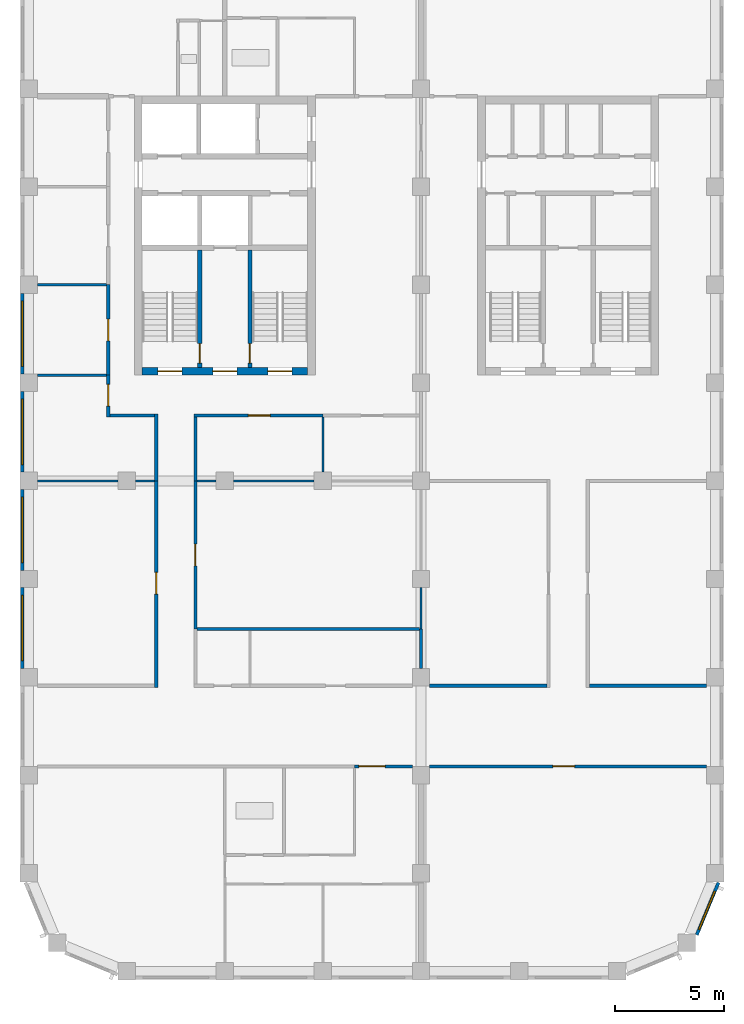
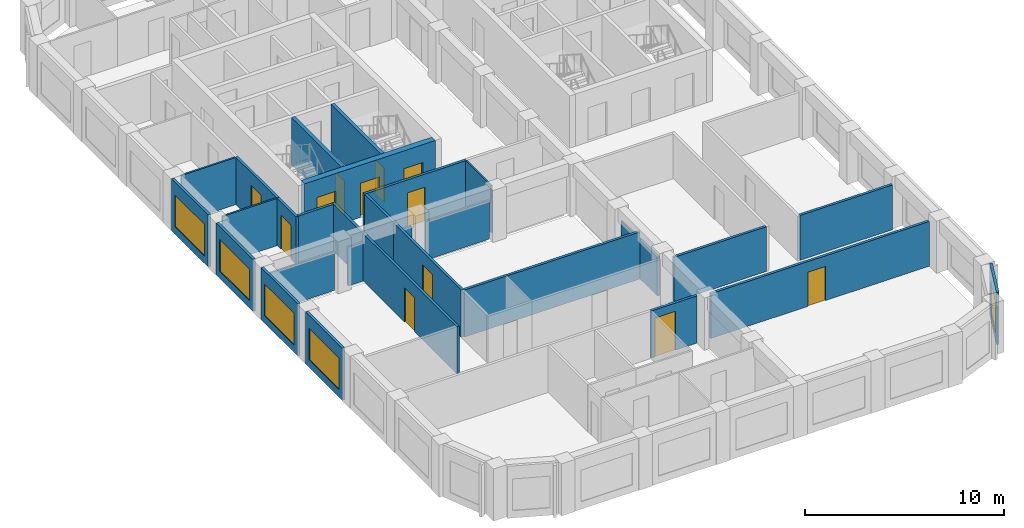
# One storey, part 3 of 9: 30 walls, 12 doors, 5 windows, 17 openings.
"""IFC4 building model written with IfcOpenShell, lengths in metres."""

from ifc_helpers import new_model, si_unit, direction, frame, frame_2d, origin, place, context, subcontext, project, spatial, rectangle, extrude, material, layer, layer_set, type_object, element, fill, save


model = new_model("IFC4")

# Units and contexts
model_context = context("Model", 3, precision=1e-05, world=origin(), true_north=direction((0.0, 1.0)))
body_context = subcontext(model_context, "Body", "Model", "MODEL_VIEW")
ifc_project = project(units=[si_unit("LENGTHUNIT", "METRE"), si_unit("AREAUNIT", "SQUARE_METRE"), si_unit("VOLUMEUNIT", "CUBIC_METRE"), si_unit("PLANEANGLEUNIT", "RADIAN"), si_unit("MASSUNIT", "GRAM", prefix="KILO")], contexts=[model_context])

# Site, building, storey
site_placement = place(None, origin())
site = spatial("IfcSite", under=ifc_project, at=site_placement, CompositionType="ELEMENT")
building_placement = place(site_placement, origin())
building = spatial("IfcBuilding", under=site, at=building_placement, Name="Girih Gate Residences", CompositionType="ELEMENT")
storey_placement = place(building_placement, frame((0.0, 0.0, 216.4951171875)))
storey = spatial("IfcBuildingStorey", under=building, at=storey_placement, Name="L60", CompositionType="ELEMENT", Elevation=216.4951171875)

# Wall, opening, door
ifc_material_1 = material(Name="Gypsum board on steel studs", Category="steel")
ifc_layer_1 = layer(ifc_material_1, 0.14990234375)
ifc_layer_set_1 = layer_set([ifc_layer_1], Name="Compartment wall 150 mm")
wall_type_1 = type_object("IfcWallType", Name="Compartment wall 150 mm", PredefinedType="PARTITIONING", material=ifc_layer_set_1)
wall_1_placement = place(storey_placement, frame((17.60009765625, 9.39990234375, 0.0), z_axis=(0.0, 0.0, 1.0), x_axis=(-1.0, 0.0, 0.0)))
wall_1 = element("IfcWall", 1, at=wall_1_placement, inside=storey, type_object=wall_type_1, Name="L60 partition", PredefinedType="PARTITIONING", context=body_context, shape_type="SweptSolid", body=[
    extrude(rectangle(XDim=2.650146484375, YDim=0.14990234375, at=frame_2d((1.3251953125, 0.0))), origin(), (0.0, 0.0, 1.0), 2.89990234375),
])
opening_1_placement = place(wall_1_placement, frame((1.25, 0.0, 0.0)))
opening_1 = element("IfcOpeningElement", 2, at=opening_1_placement, cuts=wall_1, Name="Opening A60-006", PredefinedType="OPENING", context=body_context, shape_type="SweptSolid", body=[
    extrude(rectangle(XDim=1.199951171875, YDim=2.39990234375, at=frame_2d((0.60009765625, 1.199951171875))), frame((0.0, 0.0849609375, 0.0), z_axis=(0.0, -1.0, 0.0), x_axis=(1.0, 0.0, 0.0)), (0.0, 0.0, 1.0), 0.169921875),
])
ifc_material_2 = material(Name="Timber, fire-rated core", Category="wood")
door_type_1 = type_object("IfcDoorType", Name="Villa entrance door 1200x2400 FD30S", OperationType="NOTDEFINED", PredefinedType="DOOR", material=ifc_material_2)
door_1_placement = place(opening_1_placement, origin())
door_1 = element("IfcDoor", 3, at=door_1_placement, inside=storey, type_object=door_type_1, Name="Door A60-006", OperationType="SINGLE_SWING_RIGHT", OverallHeight=2.39990234375, OverallWidth=1.199951171875, PredefinedType="DOOR", context=body_context, shape_type="SweptSolid", body=[
    extrude(rectangle(XDim=1.199951171875, YDim=2.39990234375, at=frame_2d((0.60009765625, 1.199951171875))), frame((0.0, 0.02490234375, 0.0), z_axis=(0.0, -1.0, 0.0), x_axis=(1.0, 0.0, 0.0)), (0.0, 0.0, 1.0), 0.050048828125),
])
fill(opening_1, door_1)

wall_2_placement = place(storey_placement, frame((7.64990234375, 22.5, 0.0), z_axis=(0.0, 0.0, 1.0), x_axis=(0.0, -1.0, 0.0)))
wall_2 = element("IfcWall", 4, at=wall_2_placement, inside=storey, type_object=wall_type_1, Name="L60 partition", PredefinedType="PARTITIONING", context=body_context, shape_type="SweptSolid", body=[
    extrude(rectangle(XDim=6.800048828125, YDim=0.14990234375, at=frame_2d((3.39990234375, 0.0))), origin(), (0.0, 0.0, 1.0), 2.89990234375),
])
opening_2_placement = place(wall_2_placement, frame((2.89990234375, 0.0, 0.0)))
opening_2 = element("IfcOpeningElement", 5, at=opening_2_placement, cuts=wall_2, Name="Opening A60-017", PredefinedType="OPENING", context=body_context, shape_type="SweptSolid", body=[
    extrude(rectangle(XDim=1.0, YDim=2.10009765625, at=frame_2d((0.5, 1.050048828125))), frame((0.0, 0.0849609375, 0.0), z_axis=(0.0, -1.0, 0.0), x_axis=(1.0, 0.0, 0.0)), (0.0, 0.0, 1.0), 0.169921875),
])
door_type_2 = type_object("IfcDoorType", Name="Amenity room door 1000x2100 FD30S", OperationType="NOTDEFINED", PredefinedType="DOOR", material=ifc_material_2)
door_2_placement = place(opening_2_placement, origin())
door_2 = element("IfcDoor", 6, at=door_2_placement, inside=storey, type_object=door_type_2, Name="Door A60-017", OperationType="SINGLE_SWING_LEFT", OverallHeight=2.10009765625, OverallWidth=1.0, PredefinedType="DOOR", context=body_context, shape_type="SweptSolid", body=[
    extrude(rectangle(XDim=1.0, YDim=2.10009765625, at=frame_2d((0.5, 1.050048828125))), frame((0.0, 0.02490234375, 0.0), z_axis=(0.0, -1.0, 0.0), x_axis=(1.0, 0.0, 0.0)), (0.0, 0.0, 1.0), 0.050048828125),
])
fill(opening_2, door_2)

# Wall
wall_3_placement = place(storey_placement, frame((7.72509765625, 15.699951171875, 0.0), z_axis=(0.0, 0.0, 1.0), x_axis=(1.0, 0.0, 0.0)))
element("IfcWall", 7, at=wall_3_placement, inside=storey, type_object=wall_type_1, Name="L60 partition", PredefinedType="PARTITIONING", context=body_context, shape_type="SweptSolid", body=[
    extrude(rectangle(XDim=10.199951171875, YDim=0.14990234375, at=frame_2d((5.10009765625, 0.0))), origin(), (0.0, 0.0, 1.0), 2.89990234375),
])

# Wall, opening, door
wall_4_placement = place(storey_placement, frame((31.10009765625, 9.39990234375, 0.0), z_axis=(0.0, 0.0, 1.0), x_axis=(-1.0, 0.0, 0.0)))
wall_4 = element("IfcWall", 8, at=wall_4_placement, inside=storey, type_object=wall_type_1, Name="L60 partition", PredefinedType="PARTITIONING", context=body_context, shape_type="SweptSolid", body=[
    extrude(rectangle(XDim=12.7001953125, YDim=0.14990234375, at=frame_2d((6.35009765625, 0.0))), origin(), (0.0, 0.0, 1.0), 2.75),
])
opening_3_placement = place(wall_4_placement, frame((6.050048828125, 0.0, 0.0)))
opening_3 = element("IfcOpeningElement", 9, at=opening_3_placement, cuts=wall_4, Name="Opening A60-020", PredefinedType="OPENING", context=body_context, shape_type="SweptSolid", body=[
    extrude(rectangle(XDim=1.0, YDim=2.10009765625, at=frame_2d((0.5, 1.050048828125))), frame((0.0, 0.0849609375, 0.0), z_axis=(0.0, -1.0, 0.0), x_axis=(1.0, 0.0, 0.0)), (0.0, 0.0, 1.0), 0.169921875),
])
door_3_placement = place(opening_3_placement, origin())
door_3 = element("IfcDoor", 10, at=door_3_placement, inside=storey, type_object=door_type_2, Name="Door A60-020", OperationType="SINGLE_SWING_RIGHT", OverallHeight=2.10009765625, OverallWidth=1.0, PredefinedType="DOOR", context=body_context, shape_type="SweptSolid", body=[
    extrude(rectangle(XDim=1.0, YDim=2.10009765625, at=frame_2d((0.5, 1.050048828125))), frame((0.0, 0.02490234375, 0.0), z_axis=(0.0, -1.0, 0.0), x_axis=(1.0, 0.0, 0.0)), (0.0, 0.0, 1.0), 0.050048828125),
])
fill(opening_3, door_3)

# Walls
for number, where, z_axis, x_axis, name in (
    (11, (18.39990234375, 13.10009765625, 0.0), (0.0, 0.0, 1.0), (1.0, 0.0, 0.0), "L60 partition"),
    (12, (25.72509765625, 13.10009765625, 0.0), (0.0, 0.0, 1.0), (1.0, 0.0, 0.0), "L60 partition"),
):
    element("IfcWall", number, at=place(storey_placement, frame(where, z_axis=z_axis, x_axis=x_axis)), inside=storey, type_object=wall_type_1, Name=name, PredefinedType="PARTITIONING", context=body_context, shape_type="SweptSolid", body=[
        extrude(rectangle(XDim=5.375, YDim=0.14990234375, at=frame_2d((2.6875, 0.0))), origin(), (0.0, 0.0, 1.0), 2.75),
    ])
wall_5_placement = place(storey_placement, frame((18.0, 13.89990234375, 0.0), z_axis=(0.0, 0.0, 1.0), x_axis=(0.0, 1.0, 0.0)))
element("IfcWall", 13, at=wall_5_placement, inside=storey, type_object=wall_type_1, Name="L60 partition", PredefinedType="PARTITIONING", context=body_context, shape_type="SweptSolid", body=[
    extrude(rectangle(XDim=1.800048828125, YDim=0.14990234375, at=frame_2d((0.89990234375, 0.0))), origin(), (0.0, 0.0, 1.0), 2.3798828125),
])
wall_6_placement = place(storey_placement, frame((5.85009765625, 22.5, 0.0), z_axis=(0.0, 0.0, 1.0), x_axis=(0.0, 1.0, 0.0)))
element("IfcWall", 14, at=wall_6_placement, inside=storey, type_object=wall_type_1, Name="L60 partition", PredefinedType="PARTITIONING", context=body_context, shape_type="SweptSolid", body=[
    extrude(rectangle(XDim=3.074951171875, YDim=0.14990234375, at=frame_2d((1.53759765625, 0.0))), origin(), (0.0, 0.0, 1.0), 2.89990234375),
])
wall_7_placement = place(storey_placement, frame((3.72509765625, 25.5, 0.0), z_axis=(0.0, 0.0, 1.0), x_axis=(1.0, 0.0, 0.0)))
element("IfcWall", 15, at=wall_7_placement, inside=storey, type_object=wall_type_1, Name="L60 partition", PredefinedType="PARTITIONING", context=body_context, shape_type="SweptSolid", body=[
    extrude(rectangle(XDim=2.0498046875, YDim=0.14990234375, at=frame_2d((1.02490234375, 0.0))), origin(), (0.0, 0.0, 1.0), 2.89990234375),
])

# Wall, opening, door
wall_8_placement = place(storey_placement, frame((3.64990234375, 25.425048828125, 0.0), z_axis=(0.0, 0.0, 1.0), x_axis=(0.0, 1.0, 0.0)))
wall_8 = element("IfcWall", 16, at=wall_8_placement, inside=storey, type_object=wall_type_1, Name="L60 partition", PredefinedType="PARTITIONING", context=body_context, shape_type="SweptSolid", body=[
    extrude(rectangle(XDim=1.925048828125, YDim=0.14990234375, at=frame_2d((0.96240234375, 0.0))), origin(), (0.0, 0.0, 1.0), 2.89990234375),
])
opening_4_placement = place(wall_8_placement, frame((0.5, 0.0, 0.0)))
opening_4 = element("IfcOpeningElement", 17, at=opening_4_placement, cuts=wall_8, Name="Opening A60-025", PredefinedType="OPENING", context=body_context, shape_type="SweptSolid", body=[
    extrude(rectangle(XDim=1.0, YDim=2.10009765625, at=frame_2d((0.5, 1.050048828125))), frame((0.0, 0.0849609375, 0.0), z_axis=(0.0, -1.0, 0.0), x_axis=(1.0, 0.0, 0.0)), (0.0, 0.0, 1.0), 0.169921875),
])
door_4_placement = place(opening_4_placement, origin())
door_4 = element("IfcDoor", 18, at=door_4_placement, inside=storey, type_object=door_type_2, Name="Door A60-025", OperationType="SINGLE_SWING_RIGHT", OverallHeight=2.10009765625, OverallWidth=1.0, PredefinedType="DOOR", context=body_context, shape_type="SweptSolid", body=[
    extrude(rectangle(XDim=1.0, YDim=2.10009765625, at=frame_2d((0.5, 1.050048828125))), frame((0.0, 0.02490234375, 0.0), z_axis=(0.0, -1.0, 0.0), x_axis=(1.0, 0.0, 0.0)), (0.0, 0.0, 1.0), 0.050048828125),
])
fill(opening_4, door_4)

wall_9_placement = place(storey_placement, frame((13.5, 25.5, 0.0), z_axis=(0.0, 0.0, 1.0), x_axis=(-1.0, 0.0, 0.0)))
wall_9 = element("IfcWall", 19, at=wall_9_placement, inside=storey, type_object=wall_type_1, Name="L60 partition", PredefinedType="PARTITIONING", context=body_context, shape_type="SweptSolid", body=[
    extrude(rectangle(XDim=5.925048828125, YDim=0.14990234375, at=frame_2d((2.96240234375, 0.0))), origin(), (0.0, 0.0, 1.0), 2.89990234375),
])
opening_5_placement = place(wall_9_placement, frame((2.425048828125, 0.0, 0.0)))
opening_5 = element("IfcOpeningElement", 20, at=opening_5_placement, cuts=wall_9, Name="Opening A60-026", PredefinedType="OPENING", context=body_context, shape_type="SweptSolid", body=[
    extrude(rectangle(XDim=1.0, YDim=2.10009765625, at=frame_2d((0.5, 1.050048828125))), frame((0.0, 0.0849609375, 0.0), z_axis=(0.0, -1.0, 0.0), x_axis=(1.0, 0.0, 0.0)), (0.0, 0.0, 1.0), 0.169921875),
])
door_5_placement = place(opening_5_placement, origin())
door_5 = element("IfcDoor", 21, at=door_5_placement, inside=storey, type_object=door_type_2, Name="Door A60-026", OperationType="SINGLE_SWING_LEFT", OverallHeight=2.10009765625, OverallWidth=1.0, PredefinedType="DOOR", context=body_context, shape_type="SweptSolid", body=[
    extrude(rectangle(XDim=1.0, YDim=2.10009765625, at=frame_2d((0.5, 1.050048828125))), frame((0.0, 0.02490234375, 0.0), z_axis=(0.0, -1.0, 0.0), x_axis=(1.0, 0.0, 0.0)), (0.0, 0.0, 1.0), 0.050048828125),
])
fill(opening_5, door_5)

# Wall
wall_10_placement = place(storey_placement, frame((7.64990234375, 22.5, 0.0), z_axis=(0.0, 0.0, 1.0), x_axis=(0.0, 1.0, 0.0)))
element("IfcWall", 22, at=wall_10_placement, inside=storey, type_object=wall_type_1, Name="L60 partition", PredefinedType="PARTITIONING", context=body_context, shape_type="SweptSolid", body=[
    extrude(rectangle(XDim=2.925048828125, YDim=0.14990234375, at=frame_2d((1.46240234375, 0.0))), origin(), (0.0, 0.0, 1.0), 2.89990234375),
])

# Wall, opening, door
wall_11_placement = place(storey_placement, frame((3.64990234375, 27.35009765625, 0.0), z_axis=(0.0, 0.0, 1.0), x_axis=(0.0, 1.0, 0.0)))
wall_11 = element("IfcWall", 23, at=wall_11_placement, inside=storey, type_object=wall_type_1, Name="L60 partition", PredefinedType="PARTITIONING", context=body_context, shape_type="SweptSolid", body=[
    extrude(rectangle(XDim=4.14990234375, YDim=0.14990234375, at=frame_2d((2.074951171875, 0.0))), origin(), (0.0, 0.0, 1.0), 2.89990234375),
])
opening_6_placement = place(wall_11_placement, frame((1.574951171875, 0.0, 0.0)))
opening_6 = element("IfcOpeningElement", 24, at=opening_6_placement, cuts=wall_11, Name="Opening A60-028", PredefinedType="OPENING", context=body_context, shape_type="SweptSolid", body=[
    extrude(rectangle(XDim=1.0, YDim=2.10009765625, at=frame_2d((0.5, 1.050048828125))), frame((0.0, 0.0849609375, 0.0), z_axis=(0.0, -1.0, 0.0), x_axis=(1.0, 0.0, 0.0)), (0.0, 0.0, 1.0), 0.169921875),
])
door_6_placement = place(opening_6_placement, origin())
door_6 = element("IfcDoor", 25, at=door_6_placement, inside=storey, type_object=door_type_2, Name="Door A60-028", OperationType="SINGLE_SWING_RIGHT", OverallHeight=2.10009765625, OverallWidth=1.0, PredefinedType="DOOR", context=body_context, shape_type="SweptSolid", body=[
    extrude(rectangle(XDim=1.0, YDim=2.10009765625, at=frame_2d((0.5, 1.050048828125))), frame((0.0, 0.02490234375, 0.0), z_axis=(0.0, -1.0, 0.0), x_axis=(1.0, 0.0, 0.0)), (0.0, 0.0, 1.0), 0.050048828125),
])
fill(opening_6, door_6)

wall_12_placement = place(storey_placement, frame((5.85009765625, 13.02490234375, 0.0), z_axis=(0.0, 0.0, 1.0), x_axis=(0.0, 1.0, 0.0)))
wall_12 = element("IfcWall", 26, at=wall_12_placement, inside=storey, type_object=wall_type_1, Name="L60 partition", PredefinedType="PARTITIONING", context=body_context, shape_type="SweptSolid", body=[
    extrude(rectangle(XDim=9.47509765625, YDim=0.14990234375, at=frame_2d((4.737548828125, 0.0))), origin(), (0.0, 0.0, 1.0), 2.89990234375),
])
opening_7_placement = place(wall_12_placement, frame((4.27490234375, 0.0, 0.0)))
opening_7 = element("IfcOpeningElement", 27, at=opening_7_placement, cuts=wall_12, Name="Opening A60-031", PredefinedType="OPENING", context=body_context, shape_type="SweptSolid", body=[
    extrude(rectangle(XDim=1.0, YDim=2.10009765625, at=frame_2d((0.5, 1.050048828125))), frame((0.0, 0.0849609375, 0.0), z_axis=(0.0, -1.0, 0.0), x_axis=(1.0, 0.0, 0.0)), (0.0, 0.0, 1.0), 0.169921875),
])
door_7_placement = place(opening_7_placement, origin())
door_7 = element("IfcDoor", 28, at=door_7_placement, inside=storey, type_object=door_type_2, Name="Door A60-031", OperationType="SINGLE_SWING_RIGHT", OverallHeight=2.10009765625, OverallWidth=1.0, PredefinedType="DOOR", context=body_context, shape_type="SweptSolid", body=[
    extrude(rectangle(XDim=1.0, YDim=2.10009765625, at=frame_2d((0.5, 1.050048828125))), frame((0.0, 0.02490234375, 0.0), z_axis=(0.0, -1.0, 0.0), x_axis=(1.0, 0.0, 0.0)), (0.0, 0.0, 1.0), 0.050048828125),
])
fill(opening_7, door_7)

# Wall, openings, doors
ifc_material_3 = material(Name="Concrete C60/75", Category="concrete")
ifc_layer_2 = layer(ifc_material_3, 0.35009765625)
ifc_layer_set_2 = layer_set([ifc_layer_2], Name="Core wall RC 350 Concrete C60/75")
wall_type_2 = type_object("IfcWallType", Name="Core wall RC 350 Concrete C60/75", PredefinedType="SOLIDWALL", material=ifc_layer_set_2)
wall_13_placement = place(storey_placement, frame((5.199951171875, 27.52490234375, 0.0), z_axis=(0.0, 0.0, 1.0), x_axis=(1.0, 0.0, 0.0)))
wall_13 = element("IfcWall", 29, at=wall_13_placement, inside=storey, type_object=wall_type_2, Name="Core wall W-S L60", PredefinedType="SOLIDWALL", context=body_context, shape_type="SweptSolid", body=[
    extrude(rectangle(XDim=7.60009765625, YDim=0.35009765625, at=frame_2d((3.800048828125, 0.0))), origin(), (0.0, 0.0, 1.0), 3.199951171875),
])
opening_8_placement = place(wall_13_placement, frame((0.72509765625, 0.0, 0.0)))
opening_8 = element("IfcOpeningElement", 30, at=opening_8_placement, cuts=wall_13, Name="Opening D-L60-W-008", PredefinedType="OPENING", context=body_context, shape_type="SweptSolid", body=[
    extrude(rectangle(XDim=1.10009765625, YDim=2.10009765625, at=frame_2d((0.550048828125, 1.050048828125))), frame((0.0, 0.18505859375, 0.0), z_axis=(0.0, -1.0, 0.0), x_axis=(1.0, 0.0, 0.0)), (0.0, 0.0, 1.0), 0.3701171875),
])
opening_9_placement = place(wall_13_placement, frame((3.25, 0.0, 0.0)))
opening_9 = element("IfcOpeningElement", 31, at=opening_9_placement, cuts=wall_13, Name="Opening D-L60-W-009", PredefinedType="OPENING", context=body_context, shape_type="SweptSolid", body=[
    extrude(rectangle(XDim=1.10009765625, YDim=2.10009765625, at=frame_2d((0.550048828125, 1.050048828125))), frame((0.0, 0.18505859375, 0.0), z_axis=(0.0, -1.0, 0.0), x_axis=(1.0, 0.0, 0.0)), (0.0, 0.0, 1.0), 0.3701171875),
])
opening_10_placement = place(wall_13_placement, frame((5.77490234375, 0.0, 0.0)))
opening_10 = element("IfcOpeningElement", 32, at=opening_10_placement, cuts=wall_13, Name="Opening D-L60-W-010", PredefinedType="OPENING", context=body_context, shape_type="SweptSolid", body=[
    extrude(rectangle(XDim=1.10009765625, YDim=2.10009765625, at=frame_2d((0.550048828125, 1.050048828125))), frame((0.0, 0.18505859375, 0.0), z_axis=(0.0, -1.0, 0.0), x_axis=(1.0, 0.0, 0.0)), (0.0, 0.0, 1.0), 0.3701171875),
])
ifc_material_4 = material(Name="Painted steel, fire-resisting", Category="steel")
door_type_3 = type_object("IfcDoorType", Name="Fire door 1100x2100", OperationType="SINGLE_SWING_LEFT", PredefinedType="DOOR", material=ifc_material_4)
door_8_placement = place(opening_8_placement, origin())
door_8 = element("IfcDoor", 33, at=door_8_placement, inside=storey, type_object=door_type_3, Name="L60 W core door sta-out", OperationType="SINGLE_SWING_LEFT", OverallHeight=2.10009765625, OverallWidth=1.10009765625, PredefinedType="DOOR", context=body_context, shape_type="SweptSolid", body=[
    extrude(rectangle(XDim=1.10009765625, YDim=2.10009765625, at=frame_2d((0.550048828125, 1.050048828125))), frame((0.0, 0.02490234375, 0.0), z_axis=(0.0, -1.0, 0.0), x_axis=(1.0, 0.0, 0.0)), (0.0, 0.0, 1.0), 0.050048828125),
])
fill(opening_8, door_8)
door_9_placement = place(opening_9_placement, origin())
door_9 = element("IfcDoor", 34, at=door_9_placement, inside=storey, type_object=door_type_3, Name="L60 W core door ffl-out", OperationType="SINGLE_SWING_LEFT", OverallHeight=2.10009765625, OverallWidth=1.10009765625, PredefinedType="DOOR", context=body_context, shape_type="SweptSolid", body=[
    extrude(rectangle(XDim=1.10009765625, YDim=2.10009765625, at=frame_2d((0.550048828125, 1.050048828125))), frame((0.0, 0.02490234375, 0.0), z_axis=(0.0, -1.0, 0.0), x_axis=(1.0, 0.0, 0.0)), (0.0, 0.0, 1.0), 0.050048828125),
])
fill(opening_9, door_9)
door_10_placement = place(opening_10_placement, origin())
door_10 = element("IfcDoor", 35, at=door_10_placement, inside=storey, type_object=door_type_3, Name="L60 W core door stb-out", OperationType="SINGLE_SWING_LEFT", OverallHeight=2.10009765625, OverallWidth=1.10009765625, PredefinedType="DOOR", context=body_context, shape_type="SweptSolid", body=[
    extrude(rectangle(XDim=1.10009765625, YDim=2.10009765625, at=frame_2d((0.550048828125, 1.050048828125))), frame((0.0, 0.02490234375, 0.0), z_axis=(0.0, -1.0, 0.0), x_axis=(1.0, 0.0, 0.0)), (0.0, 0.0, 1.0), 0.050048828125),
])
fill(opening_10, door_10)

# Walls
ifc_layer_3 = layer(ifc_material_1, 0.10009765625)
ifc_layer_set_3 = layer_set([ifc_layer_3], Name="Partition 100 mm")
wall_type_3 = type_object("IfcWallType", Name="Partition 100 mm", PredefinedType="PARTITIONING", material=ifc_layer_set_3)
wall_14_placement = place(storey_placement, frame((18.0, 15.699951171875, 0.0), z_axis=(0.0, 0.0, 1.0), x_axis=(0.0, 1.0, 0.0)))
element("IfcWall", 36, at=wall_14_placement, inside=storey, type_object=wall_type_3, Name="L60 partition", PredefinedType="PARTITIONING", context=body_context, shape_type="SweptSolid", body=[
    extrude(rectangle(XDim=1.900146484375, YDim=0.10009765625, at=frame_2d((0.9501953125, 0.0))), origin(), (0.0, 0.0, 1.0), 2.3798828125),
])
wall_15_placement = place(storey_placement, frame((7.72509765625, 22.5, 0.0), z_axis=(0.0, 0.0, 1.0), x_axis=(1.0, 0.0, 0.0)))
element("IfcWall", 37, at=wall_15_placement, inside=storey, type_object=wall_type_3, Name="L60 partition", PredefinedType="PARTITIONING", context=body_context, shape_type="SweptSolid", body=[
    extrude(rectangle(XDim=0.875, YDim=0.10009765625, at=frame_2d((0.4375, 0.0))), origin(), (0.0, 0.0, 1.0), 2.3798828125),
])
wall_16_placement = place(storey_placement, frame((9.39990234375, 22.5, 0.0), z_axis=(0.0, 0.0, 1.0), x_axis=(1.0, 0.0, 0.0)))
element("IfcWall", 38, at=wall_16_placement, inside=storey, type_object=wall_type_3, Name="L60 partition", PredefinedType="PARTITIONING", context=body_context, shape_type="SweptSolid", body=[
    extrude(rectangle(XDim=3.7001953125, YDim=0.10009765625, at=frame_2d((1.85009765625, 0.0))), origin(), (0.0, 0.0, 1.0), 2.3798828125),
])
wall_17_placement = place(storey_placement, frame((0.39990234375, 27.35009765625, 0.0), z_axis=(0.0, 0.0, 1.0), x_axis=(1.0, 0.0, 0.0)))
element("IfcWall", 39, at=wall_17_placement, inside=storey, type_object=wall_type_3, Name="L60 partition", PredefinedType="PARTITIONING", context=body_context, shape_type="SweptSolid", body=[
    extrude(rectangle(XDim=3.175048828125, YDim=0.10009765625, at=frame_2d((1.58740234375, 0.0))), origin(), (0.0, 0.0, 1.0), 2.89990234375),
])
wall_18_placement = place(storey_placement, frame((4.89990234375, 22.5, 0.0), z_axis=(0.0, 0.0, 1.0), x_axis=(1.0, 0.0, 0.0)))
element("IfcWall", 40, at=wall_18_placement, inside=storey, type_object=wall_type_3, Name="L60 partition", PredefinedType="PARTITIONING", context=body_context, shape_type="SweptSolid", body=[
    extrude(rectangle(XDim=0.875, YDim=0.10009765625, at=frame_2d((0.4375, 0.0))), origin(), (0.0, 0.0, 1.0), 2.3798828125),
])
wall_19_placement = place(storey_placement, frame((0.39990234375, 22.5, 0.0), z_axis=(0.0, 0.0, 1.0), x_axis=(1.0, 0.0, 0.0)))
element("IfcWall", 41, at=wall_19_placement, inside=storey, type_object=wall_type_3, Name="L60 partition", PredefinedType="PARTITIONING", context=body_context, shape_type="SweptSolid", body=[
    extrude(rectangle(XDim=3.7001953125, YDim=0.10009765625, at=frame_2d((1.85009765625, 0.0))), origin(), (0.0, 0.0, 1.0), 2.3798828125),
])
wall_20_placement = place(storey_placement, frame((13.5, 22.89990234375, 0.0), z_axis=(0.0, 0.0, 1.0), x_axis=(0.0, 1.0, 0.0)))
element("IfcWall", 42, at=wall_20_placement, inside=storey, type_object=wall_type_3, Name="L60 partition", PredefinedType="PARTITIONING", context=body_context, shape_type="SweptSolid", body=[
    extrude(rectangle(XDim=2.525146484375, YDim=0.10009765625, at=frame_2d((1.2626953125, 0.0))), origin(), (0.0, 0.0, 1.0), 2.89990234375),
])
wall_21_placement = place(storey_placement, frame((0.39990234375, 31.5, 0.0), z_axis=(0.0, 0.0, 1.0), x_axis=(1.0, 0.0, 0.0)))
element("IfcWall", 43, at=wall_21_placement, inside=storey, type_object=wall_type_3, Name="L60 partition", PredefinedType="PARTITIONING", context=body_context, shape_type="SweptSolid", body=[
    extrude(rectangle(XDim=3.175048828125, YDim=0.10009765625, at=frame_2d((1.58740234375, 0.0))), origin(), (0.0, 0.0, 1.0), 2.89990234375),
])

# Wall, opening, window
ifc_material_5 = material(Name="Precast concrete C50/60", Category="concrete")
ifc_layer_4 = layer(ifc_material_5, 0.050048828125, Name="Outer leaf")
ifc_material_6 = material(Name="Rigid PIR insulation")
ifc_layer_5 = layer(ifc_material_6, 0.06005859375, Name="Insulation")
ifc_material_7 = material(Name="Precast concrete C40/50", Category="concrete")
ifc_layer_6 = layer(ifc_material_7, 0.0400390625, Name="Inner leaf")
ifc_layer_set_4 = layer_set([ifc_layer_4, ifc_layer_5, ifc_layer_6], Name="Precast concrete C50/60 external wall 150")
wall_type_4 = type_object("IfcWallType", Name="Precast concrete C50/60 external wall 150", PredefinedType="SOLIDWALL", material=ifc_layer_set_4)
wall_22_placement = place(storey_placement, frame((31.647216796875, 4.0712890625, 0.0), z_axis=(0.0, 0.0, 1.0), x_axis=(-0.382669406082, -0.923885342263, 0.0)))
wall_22 = element("IfcWall", 44, at=wall_22_placement, inside=storey, type_object=wall_type_4, Name="External wall SE0302_0013.0", PredefinedType="SOLIDWALL", context=body_context, shape_type="SweptSolid", body=[
    extrude(rectangle(XDim=2.602294921875, YDim=0.14990234375, at=frame_2d((1.30126953125, 0.0))), origin(), (0.0, 0.0, 1.0), 3.199951171875),
])
opening_11_placement = place(wall_22_placement, frame((0.432373046875, 0.0, 0.449951171875)))
opening_11 = element("IfcOpeningElement", 45, at=opening_11_placement, cuts=wall_22, Name="Opening W-2G", PredefinedType="OPENING", context=body_context, shape_type="SweptSolid", body=[
    extrude(rectangle(XDim=1.89990234375, YDim=1.949951171875, at=frame_2d((0.949951171875, 0.97509765625))), frame((0.0, 0.0849609375, 0.0), z_axis=(0.0, -1.0, 0.0), x_axis=(1.0, 0.0, 0.0)), (0.0, 0.0, 1.0), 0.169921875),
])
ifc_material_8 = material(Name="Double glazing in aluminium frame", Category="aluminium")
window_type_1 = type_object("IfcWindowType", Name="Window W-2G 1900x1950", PartitioningType="SINGLE_PANEL", PredefinedType="WINDOW", material=ifc_material_8)
window_1_placement = place(opening_11_placement, origin())
window_1 = element("IfcWindow", 46, at=window_1_placement, inside=storey, type_object=window_type_1, Name="Window W-2G SE0302_0013.0", OverallHeight=1.949951171875, OverallWidth=1.89990234375, PartitioningType="SINGLE_PANEL", PredefinedType="WINDOW", context=body_context, shape_type="SweptSolid", body=[
    extrude(rectangle(XDim=1.89990234375, YDim=1.949951171875, at=frame_2d((0.949951171875, 0.97509765625))), frame((0.0, 0.030029296875, 0.0), z_axis=(0.0, -1.0, 0.0), x_axis=(1.0, 0.0, 0.0)), (0.0, 0.0, 1.0), 0.06005859375),
])
fill(opening_11, window_1)

wall_23_placement = place(storey_placement, frame((-0.300048828125, 27.39990234375, 0.0), z_axis=(0.0, 0.0, 1.0), x_axis=(0.0, 1.0, 0.0)))
wall_23 = element("IfcWall", 47, at=wall_23_placement, inside=storey, type_object=wall_type_4, Name="External wall W0000_0450.3", PredefinedType="SOLIDWALL", context=body_context, shape_type="SweptSolid", body=[
    extrude(rectangle(XDim=3.7001953125, YDim=0.14990234375, at=frame_2d((1.85009765625, 0.0))), origin(), (0.0, 0.0, 1.0), 3.199951171875),
])
opening_12_placement = place(wall_23_placement, frame((0.35009765625, 0.0, 0.449951171875)))
opening_12 = element("IfcOpeningElement", 48, at=opening_12_placement, cuts=wall_23, Name="Opening W-1D", PredefinedType="OPENING", context=body_context, shape_type="SweptSolid", body=[
    extrude(rectangle(XDim=3.0, YDim=1.949951171875, at=frame_2d((1.5, 0.97509765625))), frame((0.0, 0.0849609375, 0.0), z_axis=(0.0, -1.0, 0.0), x_axis=(1.0, 0.0, 0.0)), (0.0, 0.0, 1.0), 0.169921875),
])
window_type_2 = type_object("IfcWindowType", Name="Window W-1D 3000x1950", PartitioningType="SINGLE_PANEL", PredefinedType="WINDOW", material=ifc_material_8)
window_2_placement = place(opening_12_placement, origin())
window_2 = element("IfcWindow", 49, at=window_2_placement, inside=storey, type_object=window_type_2, Name="Window W-1D W0000_0450.3", OverallHeight=1.949951171875, OverallWidth=3.0, PartitioningType="SINGLE_PANEL", PredefinedType="WINDOW", context=body_context, shape_type="SweptSolid", body=[
    extrude(rectangle(XDim=3.0, YDim=1.949951171875, at=frame_2d((1.5, 0.97509765625))), frame((0.0, 0.030029296875, 0.0), z_axis=(0.0, -1.0, 0.0), x_axis=(1.0, 0.0, 0.0)), (0.0, 0.0, 1.0), 0.06005859375),
])
fill(opening_12, window_2)

wall_24_placement = place(storey_placement, frame((-0.300048828125, 22.89990234375, 0.0), z_axis=(0.0, 0.0, 1.0), x_axis=(0.0, 1.0, 0.0)))
wall_24 = element("IfcWall", 50, at=wall_24_placement, inside=storey, type_object=wall_type_4, Name="External wall W0000_0450.4", PredefinedType="SOLIDWALL", context=body_context, shape_type="SweptSolid", body=[
    extrude(rectangle(XDim=3.7001953125, YDim=0.14990234375, at=frame_2d((1.85009765625, 0.0))), origin(), (0.0, 0.0, 1.0), 3.199951171875),
])
opening_13_placement = place(wall_24_placement, frame((0.35009765625, 0.0, 0.449951171875)))
opening_13 = element("IfcOpeningElement", 51, at=opening_13_placement, cuts=wall_24, Name="Opening W-1D", PredefinedType="OPENING", context=body_context, shape_type="SweptSolid", body=[
    extrude(rectangle(XDim=3.0, YDim=1.949951171875, at=frame_2d((1.5, 0.97509765625))), frame((0.0, 0.0849609375, 0.0), z_axis=(0.0, -1.0, 0.0), x_axis=(1.0, 0.0, 0.0)), (0.0, 0.0, 1.0), 0.169921875),
])
window_3_placement = place(opening_13_placement, origin())
window_3 = element("IfcWindow", 52, at=window_3_placement, inside=storey, type_object=window_type_2, Name="Window W-1D W0000_0450.4", OverallHeight=1.949951171875, OverallWidth=3.0, PartitioningType="SINGLE_PANEL", PredefinedType="WINDOW", context=body_context, shape_type="SweptSolid", body=[
    extrude(rectangle(XDim=3.0, YDim=1.949951171875, at=frame_2d((1.5, 0.97509765625))), frame((0.0, 0.030029296875, 0.0), z_axis=(0.0, -1.0, 0.0), x_axis=(1.0, 0.0, 0.0)), (0.0, 0.0, 1.0), 0.06005859375),
])
fill(opening_13, window_3)

wall_25_placement = place(storey_placement, frame((-0.300048828125, 18.39990234375, 0.0), z_axis=(0.0, 0.0, 1.0), x_axis=(0.0, 1.0, 0.0)))
wall_25 = element("IfcWall", 53, at=wall_25_placement, inside=storey, type_object=wall_type_4, Name="External wall W0000_0450.5", PredefinedType="SOLIDWALL", context=body_context, shape_type="SweptSolid", body=[
    extrude(rectangle(XDim=3.7001953125, YDim=0.14990234375, at=frame_2d((1.85009765625, 0.0))), origin(), (0.0, 0.0, 1.0), 3.199951171875),
])
opening_14_placement = place(wall_25_placement, frame((0.35009765625, 0.0, 0.449951171875)))
opening_14 = element("IfcOpeningElement", 54, at=opening_14_placement, cuts=wall_25, Name="Opening W-1D", PredefinedType="OPENING", context=body_context, shape_type="SweptSolid", body=[
    extrude(rectangle(XDim=3.0, YDim=1.949951171875, at=frame_2d((1.5, 0.97509765625))), frame((0.0, 0.0849609375, 0.0), z_axis=(0.0, -1.0, 0.0), x_axis=(1.0, 0.0, 0.0)), (0.0, 0.0, 1.0), 0.169921875),
])
window_4_placement = place(opening_14_placement, origin())
window_4 = element("IfcWindow", 55, at=window_4_placement, inside=storey, type_object=window_type_2, Name="Window W-1D W0000_0450.5", OverallHeight=1.949951171875, OverallWidth=3.0, PartitioningType="SINGLE_PANEL", PredefinedType="WINDOW", context=body_context, shape_type="SweptSolid", body=[
    extrude(rectangle(XDim=3.0, YDim=1.949951171875, at=frame_2d((1.5, 0.97509765625))), frame((0.0, 0.030029296875, 0.0), z_axis=(0.0, -1.0, 0.0), x_axis=(1.0, 0.0, 0.0)), (0.0, 0.0, 1.0), 0.06005859375),
])
fill(opening_14, window_4)

wall_26_placement = place(storey_placement, frame((-0.300048828125, 13.89990234375, 0.0), z_axis=(0.0, 0.0, 1.0), x_axis=(0.0, 1.0, 0.0)))
wall_26 = element("IfcWall", 56, at=wall_26_placement, inside=storey, type_object=wall_type_4, Name="External wall W0000_0450.6", PredefinedType="SOLIDWALL", context=body_context, shape_type="SweptSolid", body=[
    extrude(rectangle(XDim=3.7001953125, YDim=0.14990234375, at=frame_2d((1.85009765625, 0.0))), origin(), (0.0, 0.0, 1.0), 3.199951171875),
])
opening_15_placement = place(wall_26_placement, frame((0.35009765625, 0.0, 0.449951171875)))
opening_15 = element("IfcOpeningElement", 57, at=opening_15_placement, cuts=wall_26, Name="Opening W-1D", PredefinedType="OPENING", context=body_context, shape_type="SweptSolid", body=[
    extrude(rectangle(XDim=3.0, YDim=1.949951171875, at=frame_2d((1.5, 0.97509765625))), frame((0.0, 0.0849609375, 0.0), z_axis=(0.0, -1.0, 0.0), x_axis=(1.0, 0.0, 0.0)), (0.0, 0.0, 1.0), 0.169921875),
])
window_5_placement = place(opening_15_placement, origin())
window_5 = element("IfcWindow", 58, at=window_5_placement, inside=storey, type_object=window_type_2, Name="Window W-1D W0000_0450.6", OverallHeight=1.949951171875, OverallWidth=3.0, PartitioningType="SINGLE_PANEL", PredefinedType="WINDOW", context=body_context, shape_type="SweptSolid", body=[
    extrude(rectangle(XDim=3.0, YDim=1.949951171875, at=frame_2d((1.5, 0.97509765625))), frame((0.0, 0.030029296875, 0.0), z_axis=(0.0, -1.0, 0.0), x_axis=(1.0, 0.0, 0.0)), (0.0, 0.0, 1.0), 0.06005859375),
])
fill(opening_15, window_5)

# Wall, opening, door
ifc_material_9 = material(Name="Concrete C40/50", Category="concrete")
ifc_layer_7 = layer(ifc_material_9, 0.199951171875)
ifc_layer_set_5 = layer_set([ifc_layer_7], Name="Shaft wall 200")
wall_type_5 = type_object("IfcWallType", Name="Shaft wall 200", PredefinedType="SOLIDWALL", material=ifc_layer_set_5)
wall_27_placement = place(storey_placement, frame((7.85009765625, 27.699951171875, 0.0), z_axis=(0.0, 0.0, 1.0), x_axis=(0.0, 1.0, 0.0)))
wall_27 = element("IfcWall", 59, at=wall_27_placement, inside=storey, type_object=wall_type_5, Name="L60 W core wall V1a", PredefinedType="SOLIDWALL", context=body_context, shape_type="SweptSolid", body=[
    extrude(rectangle(XDim=5.400146484375, YDim=0.199951171875, at=frame_2d((2.7001953125, 0.0))), origin(), (0.0, 0.0, 1.0), 2.89990234375),
])
opening_16_placement = place(wall_27_placement, frame((0.199951171875, 0.0, 0.0)))
opening_16 = element("IfcOpeningElement", 60, at=opening_16_placement, cuts=wall_27, Name="Opening D-L60-W-001", PredefinedType="OPENING", context=body_context, shape_type="SweptSolid", body=[
    extrude(rectangle(XDim=0.89990234375, YDim=2.10009765625, at=frame_2d((0.449951171875, 1.050048828125))), frame((0.0, 0.10986328125, 0.0), z_axis=(0.0, -1.0, 0.0), x_axis=(1.0, 0.0, 0.0)), (0.0, 0.0, 1.0), 0.219970703125),
])
door_type_4 = type_object("IfcDoorType", Name="Fire door 900x2100", OperationType="SINGLE_SWING_LEFT", PredefinedType="DOOR", material=ifc_material_4)
door_11_placement = place(opening_16_placement, origin())
door_11 = element("IfcDoor", 61, at=door_11_placement, inside=storey, type_object=door_type_4, Name="L60 W door stair 1 to firefighting lobby", OperationType="SINGLE_SWING_LEFT", OverallHeight=2.10009765625, OverallWidth=0.89990234375, PredefinedType="DOOR", context=body_context, shape_type="SweptSolid", body=[
    extrude(rectangle(XDim=0.89990234375, YDim=2.10009765625, at=frame_2d((0.449951171875, 1.050048828125))), frame((0.0, 0.02490234375, 0.0), z_axis=(0.0, -1.0, 0.0), x_axis=(1.0, 0.0, 0.0)), (0.0, 0.0, 1.0), 0.050048828125),
])
fill(opening_16, door_11)

wall_28_placement = place(storey_placement, frame((10.14990234375, 27.699951171875, 0.0), z_axis=(0.0, 0.0, 1.0), x_axis=(0.0, 1.0, 0.0)))
wall_28 = element("IfcWall", 62, at=wall_28_placement, inside=storey, type_object=wall_type_5, Name="L60 W core wall V2a", PredefinedType="SOLIDWALL", context=body_context, shape_type="SweptSolid", body=[
    extrude(rectangle(XDim=5.400146484375, YDim=0.199951171875, at=frame_2d((2.7001953125, 0.0))), origin(), (0.0, 0.0, 1.0), 2.89990234375),
])
opening_17_placement = place(wall_28_placement, frame((0.199951171875, 0.0, 0.0)))
opening_17 = element("IfcOpeningElement", 63, at=opening_17_placement, cuts=wall_28, Name="Opening D-L60-W-002", PredefinedType="OPENING", context=body_context, shape_type="SweptSolid", body=[
    extrude(rectangle(XDim=0.89990234375, YDim=2.10009765625, at=frame_2d((0.449951171875, 1.050048828125))), frame((0.0, 0.10986328125, 0.0), z_axis=(0.0, -1.0, 0.0), x_axis=(1.0, 0.0, 0.0)), (0.0, 0.0, 1.0), 0.219970703125),
])
door_12_placement = place(opening_17_placement, origin())
door_12 = element("IfcDoor", 64, at=door_12_placement, inside=storey, type_object=door_type_4, Name="L60 W door stair 2 to firefighting lobby", OperationType="SINGLE_SWING_LEFT", OverallHeight=2.10009765625, OverallWidth=0.89990234375, PredefinedType="DOOR", context=body_context, shape_type="SweptSolid", body=[
    extrude(rectangle(XDim=0.89990234375, YDim=2.10009765625, at=frame_2d((0.449951171875, 1.050048828125))), frame((0.0, 0.02490234375, 0.0), z_axis=(0.0, -1.0, 0.0), x_axis=(1.0, 0.0, 0.0)), (0.0, 0.0, 1.0), 0.050048828125),
])
fill(opening_17, door_12)

save(model, "model.ifc")
